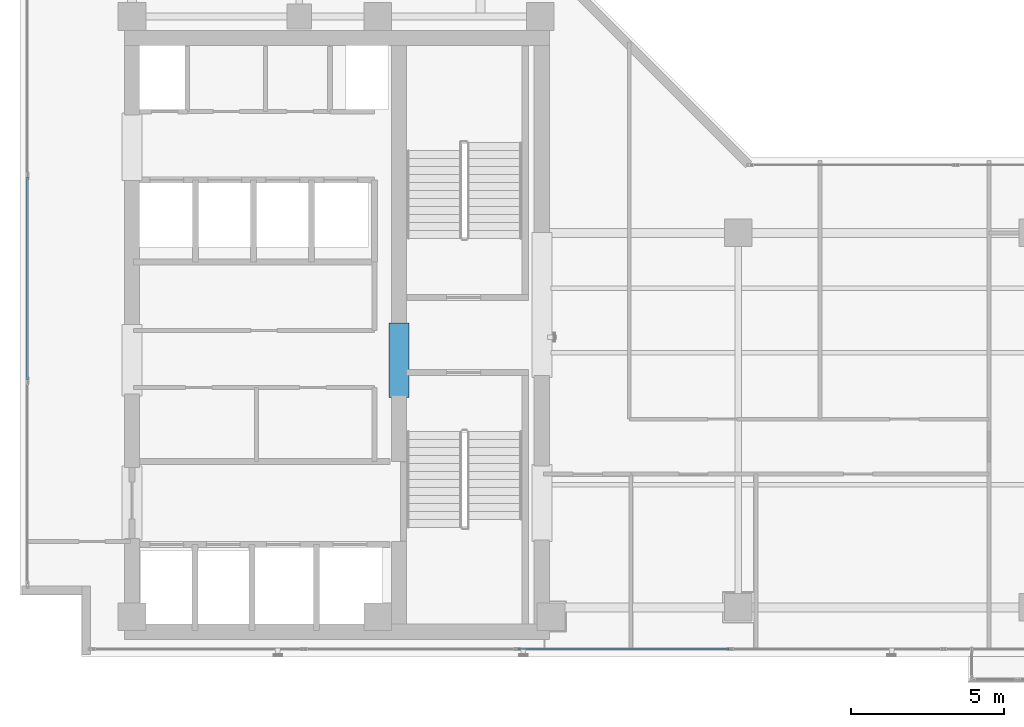
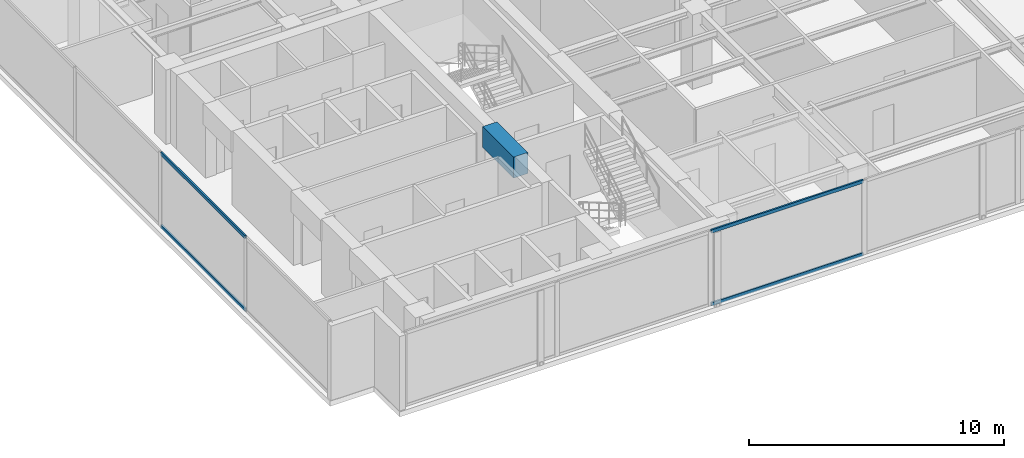
# One storey, part 3 of 24: 4 members, 1 beam, 2 elements without a shape of their own.
"""IFC4 building model written with IfcOpenShell, lengths in metres."""

from ifc_helpers import new_model, si_unit, direction, frame, origin, origin_with_axes, origin_2d, place, context, subcontext, project, spatial, rectangle, hollow_rectangle, extrude, source, transform, mapped, material, layer, layer_set, material_profile, profile_set, type_object, element, aggregate, save


model = new_model("IFC4")

# Units and contexts
model_context = context("Model", 3, precision=1e-05, world=origin(), true_north=direction((0.0, 1.0)))
body_context = subcontext(model_context, "Body", "Model", "MODEL_VIEW")
ifc_project = project(units=[si_unit("LENGTHUNIT", "METRE"), si_unit("AREAUNIT", "SQUARE_METRE"), si_unit("VOLUMEUNIT", "CUBIC_METRE"), si_unit("PLANEANGLEUNIT", "RADIAN"), si_unit("MASSUNIT", "GRAM", prefix="KILO")], contexts=[model_context])

# Site, building, storey
site_placement = place(None, origin())
site = spatial("IfcSite", under=ifc_project, at=site_placement, CompositionType="ELEMENT")
building_placement = place(site_placement, origin())
building = spatial("IfcBuilding", under=site, at=building_placement, Name="Kolvaren Waterfront Exchange", CompositionType="ELEMENT")
storey_placement = place(building_placement, frame((0.0, 0.0, 316.0)))
storey = spatial("IfcBuildingStorey", under=building, at=storey_placement, Name="L81", CompositionType="ELEMENT", Elevation=316.0)

# Beam
ifc_material_1 = material(Name="Concrete C60/75", Category="concrete")
ifc_material_profile_1 = material_profile(ifc_material_1, rectangle(XDim=0.64990234375, YDim=1.0, at=origin_2d()), Name="RC-CB-1000x650")
ifc_profile_set_1 = profile_set([ifc_material_profile_1], Name="Concrete C60/75")
beam_type = type_object("IfcBeamType", Name="STR-CB-1000", PredefinedType="SPANDREL", material=ifc_profile_set_1)
beam_placement = place(storey_placement, frame((16.14990234375, 12.0400390625, 3.06005859375), z_axis=(0.0, 1.0, 0.0), x_axis=(-1.0, 0.0, 0.0)))
element("IfcBeam", 1, at=beam_placement, inside=storey, type_object=beam_type, Name="L81 core coupling beam 6", PredefinedType="SPANDREL", context=body_context, shape_type="SweptSolid", body=[
    extrude(rectangle(XDim=0.64990234375, YDim=1.0, at=origin_2d()), origin(), (0.0, 0.0, 1.0), 2.419921875),
])

# Curtain wall, members
ifc_material_2 = material(Name="Anodised bronze aluminium 6063-T6", Category="aluminium")
ifc_layer_1 = layer(ifc_material_2, 0.219970703125, Name="Anodised bronze aluminium 6063-T6")
ifc_layer_set_1 = layer_set([ifc_layer_1], Name="Anodised bronze aluminium 6063-T6")
curtain_wall_type_1 = type_object("IfcCurtainWallType", Name="ARC-CW-SYS1", PredefinedType="USERDEFINED", material=ifc_layer_set_1)
curtain_wall_1_placement = place(storey_placement, origin())
curtain_wall_1 = element("IfcCurtainWall", 2, at=curtain_wall_1_placement, inside=storey, type_object=curtain_wall_type_1, Name="L81 stick curtain wall CW1 (CW-L81-S)", ObjectType="STICK CURTAIN WALL", PredefinedType="USERDEFINED")
ifc_material_3 = material(Name="Anodised aluminium 6063-T6", Category="aluminium")
ifc_material_profile_2 = material_profile(ifc_material_3, hollow_rectangle(XDim=0.074951171875, YDim=0.159912109375, WallThickness=0.00439453125, at=origin_2d()), Name="ALU-TRN-160x75x4.5")
ifc_profile_set_2 = profile_set([ifc_material_profile_2], Name="Anodised aluminium 6063-T6")
member_type = type_object("IfcMemberType", Name="ARC-CWT-160", PredefinedType="USERDEFINED", material=ifc_profile_set_2)
shared_shape_1 = source(origin_with_axes(), body_context, "Body", "SweptSolid", [
    extrude(hollow_rectangle(XDim=0.074951171875, YDim=0.159912109375, WallThickness=0.00439453125, at=origin_2d()), origin(), (0.0, 0.0, 1.0), 6.867431640625),
])
member_1_placement = place(storey_placement, frame((20.03466796875, 3.840087890625, 0.03759765625), z_axis=(1.0, 0.0, 0.0), x_axis=(0.0, 1.0, 0.0)))
member_1 = element("IfcMember", 3, at=member_1_placement, type_object=member_type, Name="CW1 transom 3.1", ObjectType="TRANSOM", PredefinedType="USERDEFINED", context=body_context, shape_type="MappedRepresentation", body=[
    mapped(shared_shape_1, transform((0.0, 0.0, 0.0), x_axis=(1.0, 0.0, 0.0), y_axis=(0.0, 1.0, 0.0), z_axis=(0.0, 0.0, 1.0), scale=1.0)),
])
member_2_placement = place(storey_placement, frame((20.03466796875, 3.840087890625, 3.5224609375), z_axis=(1.0, 0.0, 0.0), x_axis=(0.0, 1.0, 0.0)))
member_2 = element("IfcMember", 4, at=member_2_placement, type_object=member_type, Name="CW1 transom 3.2", ObjectType="TRANSOM", PredefinedType="USERDEFINED", context=body_context, shape_type="MappedRepresentation", body=[
    mapped(shared_shape_1, transform((0.0, 0.0, 0.0), x_axis=(1.0, 0.0, 0.0), y_axis=(0.0, 1.0, 0.0), z_axis=(0.0, 0.0, 1.0), scale=1.0)),
])
aggregate(curtain_wall_1, [member_1, member_2])

ifc_layer_2 = layer(ifc_material_3, 0.219970703125, Name="Anodised aluminium 6063-T6")
ifc_layer_set_2 = layer_set([ifc_layer_2], Name="Anodised aluminium 6063-T6")
curtain_wall_type_2 = type_object("IfcCurtainWallType", Name="ARC-CW-SYS2", PredefinedType="USERDEFINED", material=ifc_layer_set_2)
curtain_wall_2_placement = place(storey_placement, origin())
curtain_wall_2 = element("IfcCurtainWall", 5, at=curtain_wall_2_placement, inside=storey, type_object=curtain_wall_type_2, Name="L81 stick curtain wall CW2 (CW-L81-W)", ObjectType="STICK CURTAIN WALL", PredefinedType="USERDEFINED")
shared_shape_2 = source(origin_with_axes(), body_context, "Body", "SweptSolid", [
    extrude(hollow_rectangle(XDim=0.074951171875, YDim=0.159912109375, WallThickness=0.00439453125, at=origin_2d()), origin(), (0.0, 0.0, 1.0), 6.600830078125),
])
member_3_placement = place(storey_placement, frame((4.0400390625, 12.62060546875, 0.03759765625), z_axis=(0.0, 1.0, 0.0), x_axis=(-1.0, 0.0, 0.0)))
member_3 = element("IfcMember", 6, at=member_3_placement, type_object=member_type, Name="CW2 transom 2.1", ObjectType="TRANSOM", PredefinedType="USERDEFINED", context=body_context, shape_type="MappedRepresentation", body=[
    mapped(shared_shape_2, transform((0.0, 0.0, 0.0), x_axis=(1.0, 0.0, 0.0), y_axis=(0.0, 1.0, 0.0), z_axis=(0.0, 0.0, 1.0), scale=1.0)),
])
member_4_placement = place(storey_placement, frame((4.0400390625, 12.62060546875, 3.5224609375), z_axis=(0.0, 1.0, 0.0), x_axis=(-1.0, 0.0, 0.0)))
member_4 = element("IfcMember", 7, at=member_4_placement, type_object=member_type, Name="CW2 transom 2.2", ObjectType="TRANSOM", PredefinedType="USERDEFINED", context=body_context, shape_type="MappedRepresentation", body=[
    mapped(shared_shape_2, transform((0.0, 0.0, 0.0), x_axis=(1.0, 0.0, 0.0), y_axis=(0.0, 1.0, 0.0), z_axis=(0.0, 0.0, 1.0), scale=1.0)),
])
aggregate(curtain_wall_2, [member_3, member_4])

save(model, "model.ifc")
